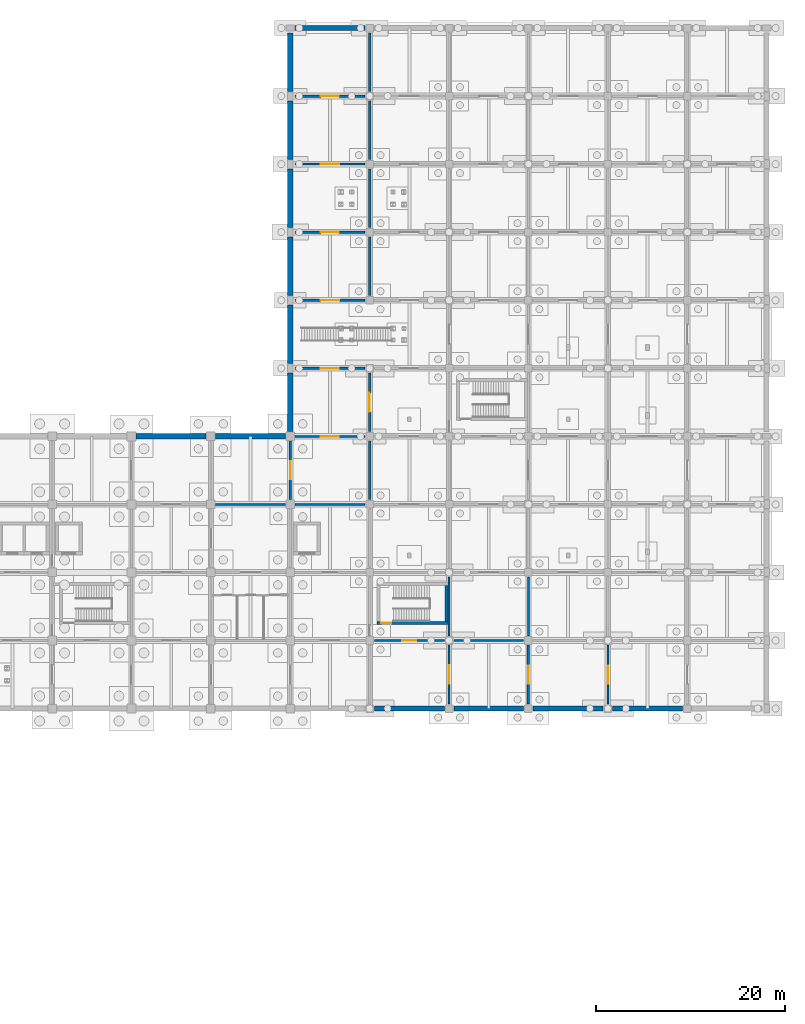
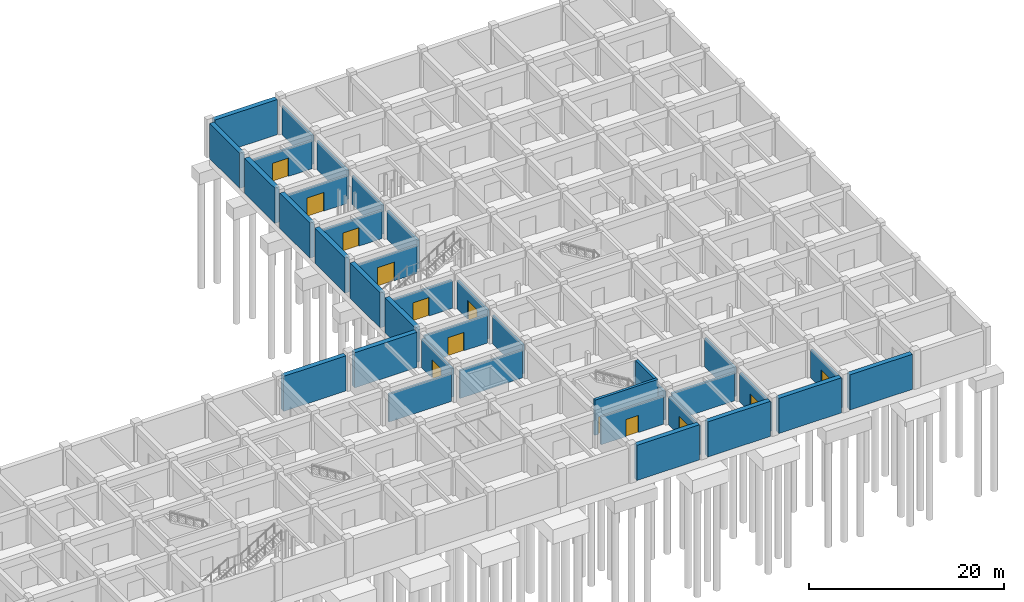
# One storey, part 32 of 38: 37 walls, 13 doors, 13 openings.
"""IFC4 building model written with IfcOpenShell, lengths in metres."""

from ifc_helpers import new_model, si_unit, derived_unit, direction, frame, frame_2d, origin, place, context, subcontext, project, spatial, rectangle, extrude, material, layer, layer_set, type_object, element, fill, save


model = new_model("IFC4")

# Units and contexts
model_context = context("Model", 3, precision=1e-05, world=origin(), true_north=direction((0.0, 1.0)))
body_context = subcontext(model_context, "Body", "Model", "MODEL_VIEW")
ifc_project = project(units=[si_unit("LENGTHUNIT", "METRE"), si_unit("AREAUNIT", "SQUARE_METRE"), si_unit("VOLUMEUNIT", "CUBIC_METRE"), si_unit("PLANEANGLEUNIT", "RADIAN"), si_unit("MASSUNIT", "GRAM", prefix="KILO"), derived_unit("THERMALTRANSMITTANCEUNIT", [(si_unit("MASSUNIT", "GRAM", prefix="KILO"), 1), (si_unit("TIMEUNIT", "SECOND"), -3), (si_unit("THERMODYNAMICTEMPERATUREUNIT", "KELVIN"), -1)])], contexts=[model_context])

# Site, building, storey
site_placement = place(None, origin())
site = spatial("IfcSite", under=ifc_project, at=site_placement, CompositionType="ELEMENT")
building_placement = place(site_placement, origin())
building = spatial("IfcBuilding", under=site, at=building_placement, Name="Veldstrom Oceanarium and Marine Research Institute", CompositionType="ELEMENT")
storey_placement = place(building_placement, frame((0.0, 0.0, -9.60009765625)))
storey = spatial("IfcBuildingStorey", under=building, at=storey_placement, Name="B02", CompositionType="ELEMENT", Elevation=-9.60009765625)

# Walls
ifc_material_1 = material(Name="Masonry Fire Compartment Wall", Category="masonry")
ifc_layer_1 = layer(ifc_material_1, 0.22998046875)
ifc_layer_set_1 = layer_set([ifc_layer_1], Name="ARC-WAL-PT1")
wall_type_1 = type_object("IfcWallType", Name="ARC-WAL-PT1", PredefinedType="PARTITIONING", material=ifc_layer_set_1)
wall_1_placement = place(storey_placement, frame((109.699951171875, 64.800048828125, 0.0), z_axis=(0.0, 0.0, 1.0), x_axis=(1.0, 0.0, 0.0)))
element("IfcWall", 1, at=wall_1_placement, inside=storey, type_object=wall_type_1, Name="Interior Partition PT1 B02-0187", PredefinedType="PARTITIONING", context=body_context, shape_type="SweptSolid", body=[
    extrude(rectangle(XDim=7.400146484375, YDim=0.22998046875, at=frame_2d((3.7001953125, 0.0))), origin(), (0.0, 0.0, 1.0), 3.4951171875),
])
wall_2_placement = place(storey_placement, frame((118.10009765625, 64.800048828125, 0.0), z_axis=(0.0, 0.0, 1.0), x_axis=(1.0, 0.0, 0.0)))
element("IfcWall", 2, at=wall_2_placement, inside=storey, type_object=wall_type_1, Name="Interior Partition PT1 B02-0194", PredefinedType="PARTITIONING", context=body_context, shape_type="SweptSolid", body=[
    extrude(rectangle(XDim=7.39990234375, YDim=0.22998046875, at=frame_2d((3.699951171875, 0.0))), origin(), (0.0, 0.0, 1.0), 3.4951171875),
])
wall_3_placement = place(storey_placement, frame((126.0, 65.300048828125, 0.0), z_axis=(0.0, 0.0, 1.0), x_axis=(0.0, 1.0, 0.0)))
element("IfcWall", 3, at=wall_3_placement, inside=storey, type_object=wall_type_1, Name="Interior Partition PT1 B02-0195", PredefinedType="PARTITIONING", context=body_context, shape_type="SweptSolid", body=[
    extrude(rectangle(XDim=6.199951171875, YDim=0.22998046875, at=frame_2d((3.10009765625, 0.0))), origin(), (0.0, 0.0, 1.0), 3.59521484375),
])

# Wall, opening, door
wall_4_placement = place(storey_placement, frame((118.10009765625, 72.0, 0.0), z_axis=(0.0, 0.0, 1.0), x_axis=(1.0, 0.0, 0.0)))
wall_4 = element("IfcWall", 4, at=wall_4_placement, inside=storey, type_object=wall_type_1, Name="Interior Partition PT1 B02-0196", PredefinedType="PARTITIONING", context=body_context, shape_type="SweptSolid", body=[
    extrude(rectangle(XDim=7.39990234375, YDim=0.22998046875, at=frame_2d((3.699951171875, 0.0))), origin(), (0.0, 0.0, 1.0), 3.4951171875),
])
opening_1_placement = place(wall_4_placement, frame((2.75, 0.0, 0.0)))
opening_1 = element("IfcOpeningElement", 5, at=opening_1_placement, cuts=wall_4, Name="Opening D-B02-114", PredefinedType="OPENING", context=body_context, shape_type="SweptSolid", body=[
    extrude(rectangle(XDim=1.89990234375, YDim=2.300048828125, at=frame_2d((0.949951171875, 1.14990234375))), frame((0.0, 0.125, 0.0), z_axis=(0.0, -1.0, 0.0), x_axis=(1.0, 0.0, 0.0)), (0.0, 0.0, 1.0), 0.25),
])
ifc_material_2 = material(Name="Plant Hall Equipment Door", Category="steel")
door_type_1 = type_object("IfcDoorType", Name="ARC-DOR-ID12", OperationType="DOUBLE_DOOR_SINGLE_SWING", PredefinedType="DOOR", material=ifc_material_2)
door_1_placement = place(opening_1_placement, frame((1.89990234375, 0.0, 0.0), z_axis=(0.0, 0.0, 1.0), x_axis=(-1.0, 0.0, 0.0)))
door_1 = element("IfcDoor", 6, at=door_1_placement, inside=storey, type_object=door_type_1, Name="Interior Door D-B02-114", OperationType="DOUBLE_DOOR_SINGLE_SWING", OverallHeight=2.300048828125, OverallWidth=1.89990234375, PredefinedType="DOOR", context=body_context, shape_type="SweptSolid", body=[
    extrude(rectangle(XDim=1.89990234375, YDim=2.300048828125, at=frame_2d((0.949951171875, 1.14990234375))), frame((0.0, 0.02490234375, 0.0), z_axis=(0.0, -1.0, 0.0), x_axis=(1.0, 0.0, 0.0)), (0.0, 0.0, 1.0), 0.050048828125),
])
fill(opening_1, door_1)

wall_5_placement = place(storey_placement, frame((118.10009765625, 86.39990234375, 0.0), z_axis=(0.0, 0.0, 1.0), x_axis=(1.0, 0.0, 0.0)))
wall_5 = element("IfcWall", 7, at=wall_5_placement, inside=storey, type_object=wall_type_1, Name="Interior Partition PT1 B02-0199", PredefinedType="PARTITIONING", context=body_context, shape_type="SweptSolid", body=[
    extrude(rectangle(XDim=7.39990234375, YDim=0.22998046875, at=frame_2d((3.699951171875, 0.0))), origin(), (0.0, 0.0, 1.0), 3.4951171875),
])
opening_2_placement = place(wall_5_placement, frame((2.699951171875, 0.0, 0.0)))
opening_2 = element("IfcOpeningElement", 8, at=opening_2_placement, cuts=wall_5, Name="Opening D-B02-117", PredefinedType="OPENING", context=body_context, shape_type="SweptSolid", body=[
    extrude(rectangle(XDim=2.0, YDim=2.35009765625, at=frame_2d((1.0, 1.175048828125))), frame((0.0, 0.125, 0.0), z_axis=(0.0, -1.0, 0.0), x_axis=(1.0, 0.0, 0.0)), (0.0, 0.0, 1.0), 0.25),
])
ifc_material_3 = material(Name="Filtration Hall Double Door", Category="steel")
door_type_2 = type_object("IfcDoorType", Name="ARC-DOR-ID18", OperationType="DOUBLE_DOOR_SINGLE_SWING", PredefinedType="DOOR", material=ifc_material_3)
door_2_placement = place(opening_2_placement, frame((2.0, 0.0, 0.0), z_axis=(0.0, 0.0, 1.0), x_axis=(-1.0, 0.0, 0.0)))
door_2 = element("IfcDoor", 9, at=door_2_placement, inside=storey, type_object=door_type_2, Name="Interior Door D-B02-117", OperationType="DOUBLE_DOOR_SINGLE_SWING", OverallHeight=2.35009765625, OverallWidth=2.0, PredefinedType="DOOR", context=body_context, shape_type="SweptSolid", body=[
    extrude(rectangle(XDim=2.0, YDim=2.35009765625, at=frame_2d((1.0, 1.175048828125))), frame((0.0, 0.02490234375, 0.0), z_axis=(0.0, -1.0, 0.0), x_axis=(1.0, 0.0, 0.0)), (0.0, 0.0, 1.0), 0.050048828125),
])
fill(opening_2, door_2)

# Wall
wall_6_placement = place(storey_placement, frame((126.0, 94.10009765625, 0.0), z_axis=(0.0, 0.0, 1.0), x_axis=(0.0, 1.0, 0.0)))
element("IfcWall", 10, at=wall_6_placement, inside=storey, type_object=wall_type_1, Name="Interior Partition PT1 B02-0202", PredefinedType="PARTITIONING", context=body_context, shape_type="SweptSolid", body=[
    extrude(rectangle(XDim=6.199951171875, YDim=0.22998046875, at=frame_2d((3.10009765625, 0.0))), origin(), (0.0, 0.0, 1.0), 3.59521484375),
])

# Wall, opening, door
wall_7_placement = place(storey_placement, frame((118.10009765625, 100.800048828125, 0.0), z_axis=(0.0, 0.0, 1.0), x_axis=(1.0, 0.0, 0.0)))
wall_7 = element("IfcWall", 11, at=wall_7_placement, inside=storey, type_object=wall_type_1, Name="Interior Partition PT1 B02-0203", PredefinedType="PARTITIONING", context=body_context, shape_type="SweptSolid", body=[
    extrude(rectangle(XDim=7.39990234375, YDim=0.22998046875, at=frame_2d((3.699951171875, 0.0))), origin(), (0.0, 0.0, 1.0), 3.4951171875),
])
opening_3_placement = place(wall_7_placement, frame((2.699951171875, 0.0, 0.0)))
opening_3 = element("IfcOpeningElement", 12, at=opening_3_placement, cuts=wall_7, Name="Opening D-B02-119", PredefinedType="OPENING", context=body_context, shape_type="SweptSolid", body=[
    extrude(rectangle(XDim=2.0, YDim=2.35009765625, at=frame_2d((1.0, 1.175048828125))), frame((0.0, 0.125, 0.0), z_axis=(0.0, -1.0, 0.0), x_axis=(1.0, 0.0, 0.0)), (0.0, 0.0, 1.0), 0.25),
])
door_3_placement = place(opening_3_placement, frame((2.0, 0.0, 0.0), z_axis=(0.0, 0.0, 1.0), x_axis=(-1.0, 0.0, 0.0)))
door_3 = element("IfcDoor", 13, at=door_3_placement, inside=storey, type_object=door_type_2, Name="Interior Door D-B02-119", OperationType="DOUBLE_DOOR_SINGLE_SWING", OverallHeight=2.35009765625, OverallWidth=2.0, PredefinedType="DOOR", context=body_context, shape_type="SweptSolid", body=[
    extrude(rectangle(XDim=2.0, YDim=2.35009765625, at=frame_2d((1.0, 1.175048828125))), frame((0.0, 0.02490234375, 0.0), z_axis=(0.0, -1.0, 0.0), x_axis=(1.0, 0.0, 0.0)), (0.0, 0.0, 1.0), 0.050048828125),
])
fill(opening_3, door_3)

# Wall
wall_8_placement = place(storey_placement, frame((126.0, 108.5, 0.0), z_axis=(0.0, 0.0, 1.0), x_axis=(0.0, 1.0, 0.0)))
element("IfcWall", 14, at=wall_8_placement, inside=storey, type_object=wall_type_1, Name="Interior Partition PT1 B02-0206", PredefinedType="PARTITIONING", context=body_context, shape_type="SweptSolid", body=[
    extrude(rectangle(XDim=6.199951171875, YDim=0.22998046875, at=frame_2d((3.10009765625, 0.0))), origin(), (0.0, 0.0, 1.0), 3.59521484375),
])

# Wall, opening, door
wall_9_placement = place(storey_placement, frame((134.39990234375, 43.699951171875, 0.0), z_axis=(0.0, 0.0, 1.0), x_axis=(0.0, 1.0, 0.0)))
wall_9 = element("IfcWall", 15, at=wall_9_placement, inside=storey, type_object=wall_type_1, Name="Interior Partition PT1 B02-0207", PredefinedType="PARTITIONING", context=body_context, shape_type="SweptSolid", body=[
    extrude(rectangle(XDim=6.199951171875, YDim=0.22998046875, at=frame_2d((3.10009765625, 0.0))), origin(), (0.0, 0.0, 1.0), 3.59521484375),
])
opening_4_placement = place(wall_9_placement, frame((2.10009765625, 0.0, 0.0)))
opening_4 = element("IfcOpeningElement", 16, at=opening_4_placement, cuts=wall_9, Name="Opening D-B02-121", PredefinedType="OPENING", context=body_context, shape_type="SweptSolid", body=[
    extrude(rectangle(XDim=2.0, YDim=2.35009765625, at=frame_2d((1.0, 1.175048828125))), frame((0.0, 0.125, 0.0), z_axis=(0.0, -1.0, 0.0), x_axis=(1.0, 0.0, 0.0)), (0.0, 0.0, 1.0), 0.25),
])
door_4_placement = place(opening_4_placement, origin())
door_4 = element("IfcDoor", 17, at=door_4_placement, inside=storey, type_object=door_type_2, Name="Interior Door D-B02-121", OperationType="DOUBLE_DOOR_SINGLE_SWING", OverallHeight=2.35009765625, OverallWidth=2.0, PredefinedType="DOOR", context=body_context, shape_type="SweptSolid", body=[
    extrude(rectangle(XDim=2.0, YDim=2.35009765625, at=frame_2d((1.0, 1.175048828125))), frame((0.0, 0.02490234375, 0.0), z_axis=(0.0, -1.0, 0.0), x_axis=(1.0, 0.0, 0.0)), (0.0, 0.0, 1.0), 0.050048828125),
])
fill(opening_4, door_4)

wall_10_placement = place(storey_placement, frame((126.5, 50.39990234375, 0.0), z_axis=(0.0, 0.0, 1.0), x_axis=(1.0, 0.0, 0.0)))
wall_10 = element("IfcWall", 18, at=wall_10_placement, inside=storey, type_object=wall_type_1, Name="Interior Partition PT1 B02-0208", PredefinedType="PARTITIONING", context=body_context, shape_type="SweptSolid", body=[
    extrude(rectangle(XDim=7.39990234375, YDim=0.22998046875, at=frame_2d((3.699951171875, 0.0))), origin(), (0.0, 0.0, 1.0), 3.4951171875),
])
opening_5_placement = place(wall_10_placement, frame((2.949951171875, 0.0, 0.0)))
opening_5 = element("IfcOpeningElement", 19, at=opening_5_placement, cuts=wall_10, Name="Opening D-B02-122", PredefinedType="OPENING", context=body_context, shape_type="SweptSolid", body=[
    extrude(rectangle(XDim=1.5, YDim=2.14990234375, at=frame_2d((0.75, 1.074951171875))), frame((0.0, 0.125, 0.0), z_axis=(0.0, -1.0, 0.0), x_axis=(1.0, 0.0, 0.0)), (0.0, 0.0, 1.0), 0.25),
])
ifc_material_4 = material(Name="Painted Steel Lobby Fire Door", Category="steel")
door_type_3 = type_object("IfcDoorType", Name="ARC-DOR-SD2", OperationType="DOUBLE_DOOR_SINGLE_SWING", PredefinedType="DOOR", material=ifc_material_4)
door_5_placement = place(opening_5_placement, frame((1.5, 0.0, 0.0), z_axis=(0.0, 0.0, 1.0), x_axis=(-1.0, 0.0, 0.0)))
door_5 = element("IfcDoor", 20, at=door_5_placement, inside=storey, type_object=door_type_3, Name="Interior Door D-B02-122", OperationType="DOUBLE_DOOR_SINGLE_SWING", OverallHeight=2.14990234375, OverallWidth=1.5, PredefinedType="DOOR", context=body_context, shape_type="SweptSolid", body=[
    extrude(rectangle(XDim=1.5, YDim=2.14990234375, at=frame_2d((0.75, 1.074951171875))), frame((0.0, 0.02490234375, 0.0), z_axis=(0.0, -1.0, 0.0), x_axis=(1.0, 0.0, 0.0)), (0.0, 0.0, 1.0), 0.050048828125),
])
fill(opening_5, door_5)

# Walls
for number, where, z_axis, x_axis, name in (
    (21, (134.39990234375, 50.89990234375, 0.0), (0.0, 0.0, 1.0), (0.0, 1.0, 0.0), "Interior Partition PT1 B02-0209"),
    (22, (142.800048828125, 50.89990234375, 0.0), (0.0, 0.0, 1.0), (0.0, 1.0, 0.0), "Interior Partition PT1 B02-0228"),
):
    element("IfcWall", number, at=place(storey_placement, frame(where, z_axis=z_axis, x_axis=x_axis)), inside=storey, type_object=wall_type_1, Name=name, PredefinedType="PARTITIONING", context=body_context, shape_type="SweptSolid", body=[
        extrude(rectangle(XDim=6.2001953125, YDim=0.22998046875, at=frame_2d((3.10009765625, 0.0))), origin(), (0.0, 0.0, 1.0), 3.59521484375),
    ])

# Wall, opening, door
wall_11_placement = place(storey_placement, frame((151.199951171875, 43.699951171875, 0.0), z_axis=(0.0, 0.0, 1.0), x_axis=(0.0, 1.0, 0.0)))
wall_11 = element("IfcWall", 23, at=wall_11_placement, inside=storey, type_object=wall_type_1, Name="Interior Partition PT1 B02-0245", PredefinedType="PARTITIONING", context=body_context, shape_type="SweptSolid", body=[
    extrude(rectangle(XDim=6.199951171875, YDim=0.22998046875, at=frame_2d((3.10009765625, 0.0))), origin(), (0.0, 0.0, 1.0), 3.59521484375),
])
opening_6_placement = place(wall_11_placement, frame((2.14990234375, 0.0, 0.0)))
opening_6 = element("IfcOpeningElement", 24, at=opening_6_placement, cuts=wall_11, Name="Opening D-B02-142", PredefinedType="OPENING", context=body_context, shape_type="SweptSolid", body=[
    extrude(rectangle(XDim=1.89990234375, YDim=2.300048828125, at=frame_2d((0.949951171875, 1.14990234375))), frame((0.0, 0.125, 0.0), z_axis=(0.0, -1.0, 0.0), x_axis=(1.0, 0.0, 0.0)), (0.0, 0.0, 1.0), 0.25),
])
door_6_placement = place(opening_6_placement, origin())
door_6 = element("IfcDoor", 25, at=door_6_placement, inside=storey, type_object=door_type_1, Name="Interior Door D-B02-142", OperationType="DOUBLE_DOOR_SINGLE_SWING", OverallHeight=2.300048828125, OverallWidth=1.89990234375, PredefinedType="DOOR", context=body_context, shape_type="SweptSolid", body=[
    extrude(rectangle(XDim=1.89990234375, YDim=2.300048828125, at=frame_2d((0.949951171875, 1.14990234375))), frame((0.0, 0.02490234375, 0.0), z_axis=(0.0, -1.0, 0.0), x_axis=(1.0, 0.0, 0.0)), (0.0, 0.0, 1.0), 0.050048828125),
])
fill(opening_6, door_6)

ifc_material_5 = material(Name="Plant Acoustic Masonry Wall", Category="masonry")
ifc_layer_2 = layer(ifc_material_5, 0.260009765625)
ifc_layer_set_2 = layer_set([ifc_layer_2], Name="ARC-WAL-PT8")
wall_type_2 = type_object("IfcWallType", Name="ARC-WAL-PT8", PredefinedType="PARTITIONING", material=ifc_layer_set_2)
wall_12_placement = place(storey_placement, frame((117.60009765625, 65.300048828125, 0.0), z_axis=(0.0, 0.0, 1.0), x_axis=(0.0, 1.0, 0.0)))
wall_12 = element("IfcWall", 26, at=wall_12_placement, inside=storey, type_object=wall_type_2, Name="Interior Partition PT8 B02-0188", PredefinedType="PARTITIONING", context=body_context, shape_type="SweptSolid", body=[
    extrude(rectangle(XDim=6.199951171875, YDim=0.260009765625, at=frame_2d((3.10009765625, 0.0))), origin(), (0.0, 0.0, 1.0), 3.59521484375),
])
opening_7_placement = place(wall_12_placement, frame((2.14990234375, 0.0, 0.0)))
opening_7 = element("IfcOpeningElement", 27, at=opening_7_placement, cuts=wall_12, Name="Opening D-B02-110", PredefinedType="OPENING", context=body_context, shape_type="SweptSolid", body=[
    extrude(rectangle(XDim=1.89990234375, YDim=2.300048828125, at=frame_2d((0.949951171875, 1.14990234375))), frame((0.0, 0.139892578125, 0.0), z_axis=(0.0, -1.0, 0.0), x_axis=(1.0, 0.0, 0.0)), (0.0, 0.0, 1.0), 0.280029296875),
])
door_7_placement = place(opening_7_placement, frame((1.89990234375, 0.0, 0.0), z_axis=(0.0, 0.0, 1.0), x_axis=(-1.0, 0.0, 0.0)))
door_7 = element("IfcDoor", 28, at=door_7_placement, inside=storey, type_object=door_type_1, Name="Interior Door D-B02-110", OperationType="DOUBLE_DOOR_SINGLE_SWING", OverallHeight=2.300048828125, OverallWidth=1.89990234375, PredefinedType="DOOR", context=body_context, shape_type="SweptSolid", body=[
    extrude(rectangle(XDim=1.89990234375, YDim=2.300048828125, at=frame_2d((0.949951171875, 1.14990234375))), frame((0.0, 0.02490234375, 0.0), z_axis=(0.0, -1.0, 0.0), x_axis=(1.0, 0.0, 0.0)), (0.0, 0.0, 1.0), 0.050048828125),
])
fill(opening_7, door_7)

wall_13_placement = place(storey_placement, frame((126.0, 72.5, 0.0), z_axis=(0.0, 0.0, 1.0), x_axis=(0.0, 1.0, 0.0)))
wall_13 = element("IfcWall", 29, at=wall_13_placement, inside=storey, type_object=wall_type_2, Name="Interior Partition PT8 B02-0197", PredefinedType="PARTITIONING", context=body_context, shape_type="SweptSolid", body=[
    extrude(rectangle(XDim=6.199951171875, YDim=0.260009765625, at=frame_2d((3.10009765625, 0.0))), origin(), (0.0, 0.0, 1.0), 3.59521484375),
])
opening_8_placement = place(wall_13_placement, frame((2.10009765625, 0.0, 0.0)))
opening_8 = element("IfcOpeningElement", 30, at=opening_8_placement, cuts=wall_13, Name="Opening D-B02-115", PredefinedType="OPENING", context=body_context, shape_type="SweptSolid", body=[
    extrude(rectangle(XDim=2.0, YDim=2.35009765625, at=frame_2d((1.0, 1.175048828125))), frame((0.0, 0.139892578125, 0.0), z_axis=(0.0, -1.0, 0.0), x_axis=(1.0, 0.0, 0.0)), (0.0, 0.0, 1.0), 0.280029296875),
])
door_8_placement = place(opening_8_placement, frame((2.0, 0.0, 0.0), z_axis=(0.0, 0.0, 1.0), x_axis=(-1.0, 0.0, 0.0)))
door_8 = element("IfcDoor", 31, at=door_8_placement, inside=storey, type_object=door_type_2, Name="Interior Door D-B02-115", OperationType="DOUBLE_DOOR_SINGLE_SWING", OverallHeight=2.35009765625, OverallWidth=2.0, PredefinedType="DOOR", context=body_context, shape_type="SweptSolid", body=[
    extrude(rectangle(XDim=2.0, YDim=2.35009765625, at=frame_2d((1.0, 1.175048828125))), frame((0.0, 0.02490234375, 0.0), z_axis=(0.0, -1.0, 0.0), x_axis=(1.0, 0.0, 0.0)), (0.0, 0.0, 1.0), 0.050048828125),
])
fill(opening_8, door_8)

wall_14_placement = place(storey_placement, frame((118.10009765625, 79.199951171875, 0.0), z_axis=(0.0, 0.0, 1.0), x_axis=(1.0, 0.0, 0.0)))
wall_14 = element("IfcWall", 32, at=wall_14_placement, inside=storey, type_object=wall_type_2, Name="Interior Partition PT8 B02-0198", PredefinedType="PARTITIONING", context=body_context, shape_type="SweptSolid", body=[
    extrude(rectangle(XDim=7.39990234375, YDim=0.260009765625, at=frame_2d((3.699951171875, 0.0))), origin(), (0.0, 0.0, 1.0), 3.4951171875),
])
opening_9_placement = place(wall_14_placement, frame((2.75, 0.0, 0.0)))
opening_9 = element("IfcOpeningElement", 33, at=opening_9_placement, cuts=wall_14, Name="Opening D-B02-116", PredefinedType="OPENING", context=body_context, shape_type="SweptSolid", body=[
    extrude(rectangle(XDim=1.89990234375, YDim=2.300048828125, at=frame_2d((0.949951171875, 1.14990234375))), frame((0.0, 0.139892578125, 0.0), z_axis=(0.0, -1.0, 0.0), x_axis=(1.0, 0.0, 0.0)), (0.0, 0.0, 1.0), 0.280029296875),
])
door_9_placement = place(opening_9_placement, origin())
door_9 = element("IfcDoor", 34, at=door_9_placement, inside=storey, type_object=door_type_1, Name="Interior Door D-B02-116", OperationType="DOUBLE_DOOR_SINGLE_SWING", OverallHeight=2.300048828125, OverallWidth=1.89990234375, PredefinedType="DOOR", context=body_context, shape_type="SweptSolid", body=[
    extrude(rectangle(XDim=1.89990234375, YDim=2.300048828125, at=frame_2d((0.949951171875, 1.14990234375))), frame((0.0, 0.02490234375, 0.0), z_axis=(0.0, -1.0, 0.0), x_axis=(1.0, 0.0, 0.0)), (0.0, 0.0, 1.0), 0.050048828125),
])
fill(opening_9, door_9)

# Wall
wall_15_placement = place(storey_placement, frame((126.0, 86.89990234375, 0.0), z_axis=(0.0, 0.0, 1.0), x_axis=(0.0, 1.0, 0.0)))
element("IfcWall", 35, at=wall_15_placement, inside=storey, type_object=wall_type_2, Name="Interior Partition PT8 B02-0200", PredefinedType="PARTITIONING", context=body_context, shape_type="SweptSolid", body=[
    extrude(rectangle(XDim=6.2001953125, YDim=0.260009765625, at=frame_2d((3.10009765625, 0.0))), origin(), (0.0, 0.0, 1.0), 3.59521484375),
])

# Wall, opening, door
wall_16_placement = place(storey_placement, frame((118.10009765625, 93.60009765625, 0.0), z_axis=(0.0, 0.0, 1.0), x_axis=(1.0, 0.0, 0.0)))
wall_16 = element("IfcWall", 36, at=wall_16_placement, inside=storey, type_object=wall_type_2, Name="Interior Partition PT8 B02-0201", PredefinedType="PARTITIONING", context=body_context, shape_type="SweptSolid", body=[
    extrude(rectangle(XDim=7.39990234375, YDim=0.260009765625, at=frame_2d((3.699951171875, 0.0))), origin(), (0.0, 0.0, 1.0), 3.4951171875),
])
opening_10_placement = place(wall_16_placement, frame((2.75, 0.0, 0.0)))
opening_10 = element("IfcOpeningElement", 37, at=opening_10_placement, cuts=wall_16, Name="Opening D-B02-118", PredefinedType="OPENING", context=body_context, shape_type="SweptSolid", body=[
    extrude(rectangle(XDim=1.89990234375, YDim=2.300048828125, at=frame_2d((0.949951171875, 1.14990234375))), frame((0.0, 0.139892578125, 0.0), z_axis=(0.0, -1.0, 0.0), x_axis=(1.0, 0.0, 0.0)), (0.0, 0.0, 1.0), 0.280029296875),
])
door_10_placement = place(opening_10_placement, origin())
door_10 = element("IfcDoor", 38, at=door_10_placement, inside=storey, type_object=door_type_1, Name="Interior Door D-B02-118", OperationType="DOUBLE_DOOR_SINGLE_SWING", OverallHeight=2.300048828125, OverallWidth=1.89990234375, PredefinedType="DOOR", context=body_context, shape_type="SweptSolid", body=[
    extrude(rectangle(XDim=1.89990234375, YDim=2.300048828125, at=frame_2d((0.949951171875, 1.14990234375))), frame((0.0, 0.02490234375, 0.0), z_axis=(0.0, -1.0, 0.0), x_axis=(1.0, 0.0, 0.0)), (0.0, 0.0, 1.0), 0.050048828125),
])
fill(opening_10, door_10)

# Wall
wall_17_placement = place(storey_placement, frame((126.0, 101.300048828125, 0.0), z_axis=(0.0, 0.0, 1.0), x_axis=(0.0, 1.0, 0.0)))
element("IfcWall", 39, at=wall_17_placement, inside=storey, type_object=wall_type_2, Name="Interior Partition PT8 B02-0204", PredefinedType="PARTITIONING", context=body_context, shape_type="SweptSolid", body=[
    extrude(rectangle(XDim=6.199951171875, YDim=0.260009765625, at=frame_2d((3.10009765625, 0.0))), origin(), (0.0, 0.0, 1.0), 3.59521484375),
])

# Wall, opening, door
wall_18_placement = place(storey_placement, frame((118.10009765625, 108.0, 0.0), z_axis=(0.0, 0.0, 1.0), x_axis=(1.0, 0.0, 0.0)))
wall_18 = element("IfcWall", 40, at=wall_18_placement, inside=storey, type_object=wall_type_2, Name="Interior Partition PT8 B02-0205", PredefinedType="PARTITIONING", context=body_context, shape_type="SweptSolid", body=[
    extrude(rectangle(XDim=7.39990234375, YDim=0.260009765625, at=frame_2d((3.699951171875, 0.0))), origin(), (0.0, 0.0, 1.0), 3.4951171875),
])
opening_11_placement = place(wall_18_placement, frame((2.75, 0.0, 0.0)))
opening_11 = element("IfcOpeningElement", 41, at=opening_11_placement, cuts=wall_18, Name="Opening D-B02-120", PredefinedType="OPENING", context=body_context, shape_type="SweptSolid", body=[
    extrude(rectangle(XDim=1.89990234375, YDim=2.300048828125, at=frame_2d((0.949951171875, 1.14990234375))), frame((0.0, 0.139892578125, 0.0), z_axis=(0.0, -1.0, 0.0), x_axis=(1.0, 0.0, 0.0)), (0.0, 0.0, 1.0), 0.280029296875),
])
door_11_placement = place(opening_11_placement, origin())
door_11 = element("IfcDoor", 42, at=door_11_placement, inside=storey, type_object=door_type_1, Name="Interior Door D-B02-120", OperationType="DOUBLE_DOOR_SINGLE_SWING", OverallHeight=2.300048828125, OverallWidth=1.89990234375, PredefinedType="DOOR", context=body_context, shape_type="SweptSolid", body=[
    extrude(rectangle(XDim=1.89990234375, YDim=2.300048828125, at=frame_2d((0.949951171875, 1.14990234375))), frame((0.0, 0.02490234375, 0.0), z_axis=(0.0, -1.0, 0.0), x_axis=(1.0, 0.0, 0.0)), (0.0, 0.0, 1.0), 0.050048828125),
])
fill(opening_11, door_11)

wall_19_placement = place(storey_placement, frame((142.800048828125, 43.699951171875, 0.0), z_axis=(0.0, 0.0, 1.0), x_axis=(0.0, 1.0, 0.0)))
wall_19 = element("IfcWall", 43, at=wall_19_placement, inside=storey, type_object=wall_type_2, Name="Interior Partition PT8 B02-0226", PredefinedType="PARTITIONING", context=body_context, shape_type="SweptSolid", body=[
    extrude(rectangle(XDim=6.199951171875, YDim=0.260009765625, at=frame_2d((3.10009765625, 0.0))), origin(), (0.0, 0.0, 1.0), 3.59521484375),
])
opening_12_placement = place(wall_19_placement, frame((2.14990234375, 0.0, 0.0)))
opening_12 = element("IfcOpeningElement", 44, at=opening_12_placement, cuts=wall_19, Name="Opening D-B02-132", PredefinedType="OPENING", context=body_context, shape_type="SweptSolid", body=[
    extrude(rectangle(XDim=1.89990234375, YDim=2.300048828125, at=frame_2d((0.949951171875, 1.14990234375))), frame((0.0, 0.139892578125, 0.0), z_axis=(0.0, -1.0, 0.0), x_axis=(1.0, 0.0, 0.0)), (0.0, 0.0, 1.0), 0.280029296875),
])
door_12_placement = place(opening_12_placement, frame((1.89990234375, 0.0, 0.0), z_axis=(0.0, 0.0, 1.0), x_axis=(-1.0, 0.0, 0.0)))
door_12 = element("IfcDoor", 45, at=door_12_placement, inside=storey, type_object=door_type_1, Name="Interior Door D-B02-132", OperationType="DOUBLE_DOOR_SINGLE_SWING", OverallHeight=2.300048828125, OverallWidth=1.89990234375, PredefinedType="DOOR", context=body_context, shape_type="SweptSolid", body=[
    extrude(rectangle(XDim=1.89990234375, YDim=2.300048828125, at=frame_2d((0.949951171875, 1.14990234375))), frame((0.0, 0.02490234375, 0.0), z_axis=(0.0, -1.0, 0.0), x_axis=(1.0, 0.0, 0.0)), (0.0, 0.0, 1.0), 0.050048828125),
])
fill(opening_12, door_12)

# Wall
wall_20_placement = place(storey_placement, frame((134.89990234375, 50.39990234375, 0.0), z_axis=(0.0, 0.0, 1.0), x_axis=(1.0, 0.0, 0.0)))
element("IfcWall", 46, at=wall_20_placement, inside=storey, type_object=wall_type_2, Name="Interior Partition PT8 B02-0227", PredefinedType="PARTITIONING", context=body_context, shape_type="SweptSolid", body=[
    extrude(rectangle(XDim=7.400146484375, YDim=0.260009765625, at=frame_2d((3.7001953125, 0.0))), origin(), (0.0, 0.0, 1.0), 3.4951171875),
])

# Wall, opening, door
ifc_material_6 = material(Name="Concrete C40/50", Category="concrete")
ifc_layer_3 = layer(ifc_material_6, 0.320068359375)
ifc_layer_set_3 = layer_set([ifc_layer_3], Name="STR-WAL-WC3")
wall_type_3 = type_object("IfcWallType", Name="STR-WAL-WC3", PredefinedType="SHEAR", material=ifc_layer_set_3)
wall_21_placement = place(storey_placement, frame((126.800048828125, 52.239990234375, 0.0), z_axis=(0.0, 0.0, 1.0), x_axis=(1.0, 0.0, 0.0)))
wall_21 = element("IfcWall", 47, at=wall_21_placement, inside=storey, type_object=wall_type_3, Name="Stair Core Shear Wall SC4-B02-S", PredefinedType="SHEAR", context=body_context, shape_type="SweptSolid", body=[
    extrude(rectangle(XDim=7.47998046875, YDim=0.320068359375, at=frame_2d((3.739990234375, 0.0))), origin(), (0.0, 0.0, 1.0), 4.400146484375),
])
opening_13_placement = place(wall_21_placement, frame((0.449951171875, 0.0, 0.0)))
opening_13 = element("IfcOpeningElement", 48, at=opening_13_placement, cuts=wall_21, Name="Opening D-ST4-B02", PredefinedType="OPENING", context=body_context, shape_type="SweptSolid", body=[
    extrude(rectangle(XDim=1.050048828125, YDim=2.14990234375, at=frame_2d((0.52490234375, 1.074951171875))), frame((0.0, 0.169921875, 0.0), z_axis=(0.0, -1.0, 0.0), x_axis=(1.0, 0.0, 0.0)), (0.0, 0.0, 1.0), 0.340087890625),
])
ifc_material_7 = material(Name="Painted Steel Fire Door", Category="steel")
door_type_4 = type_object("IfcDoorType", Name="ARC-DOR-SD1", OperationType="SINGLE_SWING_LEFT", PredefinedType="DOOR", material=ifc_material_7)
door_13_placement = place(opening_13_placement, origin())
door_13 = element("IfcDoor", 49, at=door_13_placement, inside=storey, type_object=door_type_4, Name="Escape Stair Fire Door D-ST4-B02", OperationType="SINGLE_SWING_LEFT", OverallHeight=2.14990234375, OverallWidth=1.050048828125, PredefinedType="DOOR", context=body_context, shape_type="SweptSolid", body=[
    extrude(rectangle(XDim=1.050048828125, YDim=2.14990234375, at=frame_2d((0.52490234375, 1.074951171875))), frame((0.0, 0.02490234375, 0.0), z_axis=(0.0, -1.0, 0.0), x_axis=(1.0, 0.0, 0.0)), (0.0, 0.0, 1.0), 0.050048828125),
])
fill(opening_13, door_13)

# Walls
wall_22_placement = place(storey_placement, frame((134.1201171875, 52.39990234375, 0.0), z_axis=(0.0, 0.0, 1.0), x_axis=(0.0, 1.0, 0.0)))
element("IfcWall", 50, at=wall_22_placement, inside=storey, type_object=wall_type_3, Name="Stair Core Shear Wall SC4-B02-E", PredefinedType="SHEAR", context=body_context, shape_type="SweptSolid", body=[
    extrude(rectangle(XDim=3.800048828125, YDim=0.320068359375, at=frame_2d((1.89990234375, 0.0))), origin(), (0.0, 0.0, 1.0), 4.400146484375),
])
ifc_material_8 = material(Name="Concrete C40/50", Category="concrete")
ifc_layer_4 = layer(ifc_material_8, 0.550048828125)
ifc_layer_set_4 = layer_set([ifc_layer_4], Name="STR-WAL-WR1")
wall_type_4 = type_object("IfcWallType", Name="STR-WAL-WR1", PredefinedType="USERDEFINED", material=ifc_layer_set_4)
wall_23_placement = place(storey_placement, frame((101.300048828125, 72.0, 0.0), z_axis=(0.0, 0.0, 1.0), x_axis=(1.0, 0.0, 0.0)))
element("IfcWall", 51, at=wall_23_placement, inside=storey, type_object=wall_type_4, Name="Basement Retaining Wall WR1-B02-042", ObjectType="Retaining wall", PredefinedType="USERDEFINED", context=body_context, shape_type="SweptSolid", body=[
    extrude(rectangle(XDim=7.39990234375, YDim=0.550048828125, at=frame_2d((3.699951171875, 0.0))), origin(), (0.0, 0.0, 1.0), 4.400146484375),
])
wall_24_placement = place(storey_placement, frame((109.699951171875, 72.0, 0.0), z_axis=(0.0, 0.0, 1.0), x_axis=(1.0, 0.0, 0.0)))
element("IfcWall", 52, at=wall_24_placement, inside=storey, type_object=wall_type_4, Name="Basement Retaining Wall WR1-B02-044", ObjectType="Retaining wall", PredefinedType="USERDEFINED", context=body_context, shape_type="SweptSolid", body=[
    extrude(rectangle(XDim=7.400146484375, YDim=0.550048828125, at=frame_2d((3.7001953125, 0.0))), origin(), (0.0, 0.0, 1.0), 4.400146484375),
])
for number, where, z_axis, x_axis, name in (
    (53, (117.60009765625, 72.5, 0.0), (0.0, 0.0, 1.0), (0.0, 1.0, 0.0), "Basement Retaining Wall WR1-B02-046"),
    (54, (117.60009765625, 79.699951171875, 0.0), (0.0, 0.0, 1.0), (0.0, 1.0, 0.0), "Basement Retaining Wall WR1-B02-047"),
):
    element("IfcWall", number, at=place(storey_placement, frame(where, z_axis=z_axis, x_axis=x_axis)), inside=storey, type_object=wall_type_4, Name=name, ObjectType="Retaining wall", PredefinedType="USERDEFINED", context=body_context, shape_type="SweptSolid", body=[
        extrude(rectangle(XDim=6.199951171875, YDim=0.550048828125, at=frame_2d((3.10009765625, 0.0))), origin(), (0.0, 0.0, 1.0), 4.400146484375),
    ])
wall_25_placement = place(storey_placement, frame((117.60009765625, 86.89990234375, 0.0), z_axis=(0.0, 0.0, 1.0), x_axis=(0.0, 1.0, 0.0)))
element("IfcWall", 55, at=wall_25_placement, inside=storey, type_object=wall_type_4, Name="Basement Retaining Wall WR1-B02-048", ObjectType="Retaining wall", PredefinedType="USERDEFINED", context=body_context, shape_type="SweptSolid", body=[
    extrude(rectangle(XDim=6.2001953125, YDim=0.550048828125, at=frame_2d((3.10009765625, 0.0))), origin(), (0.0, 0.0, 1.0), 4.400146484375),
])
for number, where, z_axis, x_axis, name in (
    (56, (117.60009765625, 94.10009765625, 0.0), (0.0, 0.0, 1.0), (0.0, 1.0, 0.0), "Basement Retaining Wall WR1-B02-049"),
    (57, (117.60009765625, 101.300048828125, 0.0), (0.0, 0.0, 1.0), (0.0, 1.0, 0.0), "Basement Retaining Wall WR1-B02-050"),
):
    element("IfcWall", number, at=place(storey_placement, frame(where, z_axis=z_axis, x_axis=x_axis)), inside=storey, type_object=wall_type_4, Name=name, ObjectType="Retaining wall", PredefinedType="USERDEFINED", context=body_context, shape_type="SweptSolid", body=[
        extrude(rectangle(XDim=6.199951171875, YDim=0.550048828125, at=frame_2d((3.10009765625, 0.0))), origin(), (0.0, 0.0, 1.0), 4.400146484375),
    ])
wall_26_placement = place(storey_placement, frame((118.10009765625, 115.199951171875, 0.0), z_axis=(0.0, 0.0, 1.0), x_axis=(1.0, 0.0, 0.0)))
element("IfcWall", 58, at=wall_26_placement, inside=storey, type_object=wall_type_4, Name="Basement Retaining Wall WR1-B02-051", ObjectType="Retaining wall", PredefinedType="USERDEFINED", context=body_context, shape_type="SweptSolid", body=[
    extrude(rectangle(XDim=7.39990234375, YDim=0.550048828125, at=frame_2d((3.699951171875, 0.0))), origin(), (0.0, 0.0, 1.0), 4.400146484375),
])
wall_27_placement = place(storey_placement, frame((117.60009765625, 108.5, 0.0), z_axis=(0.0, 0.0, 1.0), x_axis=(0.0, 1.0, 0.0)))
element("IfcWall", 59, at=wall_27_placement, inside=storey, type_object=wall_type_4, Name="Basement Retaining Wall WR1-B02-052", ObjectType="Retaining wall", PredefinedType="USERDEFINED", context=body_context, shape_type="SweptSolid", body=[
    extrude(rectangle(XDim=6.199951171875, YDim=0.550048828125, at=frame_2d((3.10009765625, 0.0))), origin(), (0.0, 0.0, 1.0), 4.400146484375),
])
wall_28_placement = place(storey_placement, frame((126.5, 43.199951171875, 0.0), z_axis=(0.0, 0.0, 1.0), x_axis=(1.0, 0.0, 0.0)))
element("IfcWall", 60, at=wall_28_placement, inside=storey, type_object=wall_type_4, Name="Basement Retaining Wall WR1-B02-053", ObjectType="Retaining wall", PredefinedType="USERDEFINED", context=body_context, shape_type="SweptSolid", body=[
    extrude(rectangle(XDim=7.39990234375, YDim=0.550048828125, at=frame_2d((3.699951171875, 0.0))), origin(), (0.0, 0.0, 1.0), 4.400146484375),
])
wall_29_placement = place(storey_placement, frame((134.89990234375, 43.199951171875, 0.0), z_axis=(0.0, 0.0, 1.0), x_axis=(1.0, 0.0, 0.0)))
element("IfcWall", 61, at=wall_29_placement, inside=storey, type_object=wall_type_4, Name="Basement Retaining Wall WR1-B02-055", ObjectType="Retaining wall", PredefinedType="USERDEFINED", context=body_context, shape_type="SweptSolid", body=[
    extrude(rectangle(XDim=7.400146484375, YDim=0.550048828125, at=frame_2d((3.7001953125, 0.0))), origin(), (0.0, 0.0, 1.0), 4.400146484375),
])
wall_30_placement = place(storey_placement, frame((143.300048828125, 43.199951171875, 0.0), z_axis=(0.0, 0.0, 1.0), x_axis=(1.0, 0.0, 0.0)))
element("IfcWall", 62, at=wall_30_placement, inside=storey, type_object=wall_type_4, Name="Basement Retaining Wall WR1-B02-057", ObjectType="Retaining wall", PredefinedType="USERDEFINED", context=body_context, shape_type="SweptSolid", body=[
    extrude(rectangle(XDim=7.39990234375, YDim=0.550048828125, at=frame_2d((3.699951171875, 0.0))), origin(), (0.0, 0.0, 1.0), 4.400146484375),
])
wall_31_placement = place(storey_placement, frame((151.699951171875, 43.199951171875, 0.0), z_axis=(0.0, 0.0, 1.0), x_axis=(1.0, 0.0, 0.0)))
element("IfcWall", 63, at=wall_31_placement, inside=storey, type_object=wall_type_4, Name="Basement Retaining Wall WR1-B02-059", ObjectType="Retaining wall", PredefinedType="USERDEFINED", context=body_context, shape_type="SweptSolid", body=[
    extrude(rectangle(XDim=7.400146484375, YDim=0.550048828125, at=frame_2d((3.7001953125, 0.0))), origin(), (0.0, 0.0, 1.0), 4.400146484375),
])

save(model, "model.ifc")
